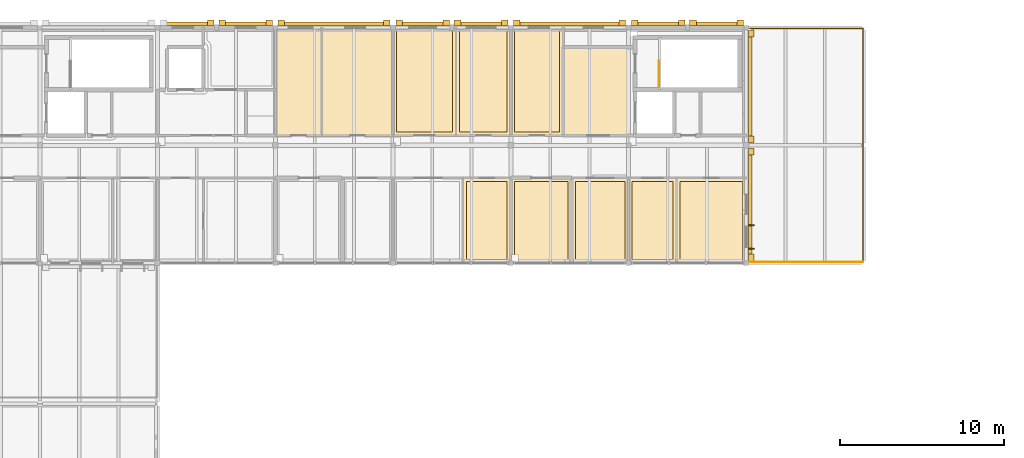
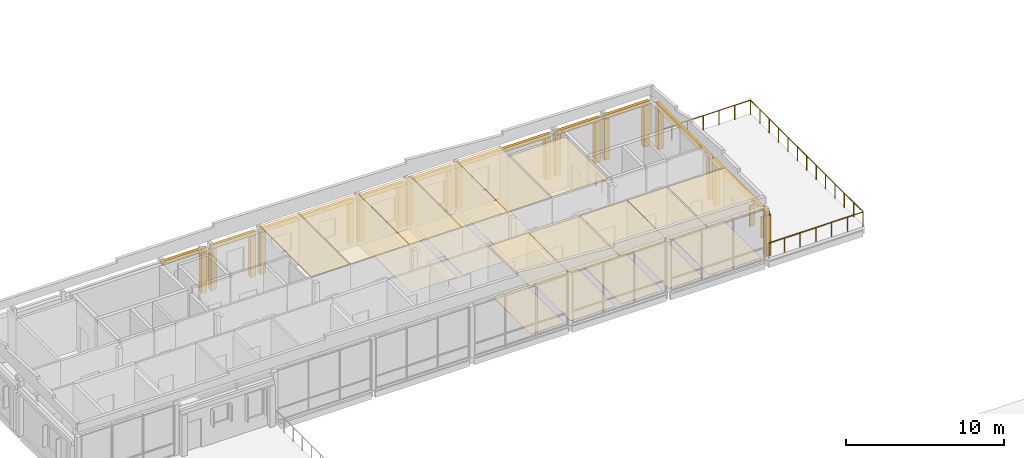
# One storey, part 31 of 32: 48 coverings, 3 railings, 2 shading devices.
"""IFC4 building model written with IfcOpenShell, lengths in metres."""

from ifc_helpers import new_model, si_unit, direction, frame, origin, origin_2d, place, context, subcontext, project, spatial, polyline, rectangle, circle, outline, extrude, material, layer, layer_set, type_object, element, save


model = new_model("IFC4")

# Units and contexts
model_context = context("Model", 3, precision=1e-05, world=origin(), true_north=direction((0.0, 1.0)))
body_context = subcontext(model_context, "Body", "Model", "MODEL_VIEW")
ifc_project = project(units=[si_unit("LENGTHUNIT", "METRE"), si_unit("AREAUNIT", "SQUARE_METRE"), si_unit("VOLUMEUNIT", "CUBIC_METRE"), si_unit("PLANEANGLEUNIT", "RADIAN"), si_unit("MASSUNIT", "GRAM", prefix="KILO")], contexts=[model_context])

# Site, building, storey
site_placement = place(None, origin())
site = spatial("IfcSite", under=ifc_project, at=site_placement, CompositionType="ELEMENT")
building_placement = place(site_placement, origin())
building = spatial("IfcBuilding", under=site, at=building_placement, Name="Hawrajan Terrace Health Centre", CompositionType="ELEMENT")
storey_placement = place(building_placement, frame((0.0, 0.0, 17.39990234375)))
storey = spatial("IfcBuildingStorey", under=building, at=storey_placement, Name="L04", CompositionType="ELEMENT", Elevation=17.39990234375)

# Coverings
ifc_material_1 = material(Name="Precast concrete C40/50", Category="concrete")
ifc_layer_1 = layer(ifc_material_1, 0.219970703125)
ifc_layer_set_1 = layer_set([ifc_layer_1], Name="Precast concrete C40/50")
covering_type_1 = type_object("IfcCoveringType", Name="ArtDecoCorniceBand", PredefinedType="CLADDING", material=ifc_layer_set_1)
covering_1_placement = place(storey_placement, frame((20.820068359375, 60.034912109375, 3.18017578125), z_axis=(0.0, 0.0, 1.0), x_axis=(1.0, 0.0, 0.0)))
element("IfcCovering", 1, at=covering_1_placement, inside=storey, type_object=covering_type_1, Name="Art Deco limestone cornice band CRN-L04-0196", PredefinedType="CLADDING", context=body_context, shape_type="SweptSolid", body=[
    extrude(rectangle(XDim=3.280029296875, YDim=0.219970703125, at=origin_2d()), origin(), (0.0, 0.0, 1.0), 0.300048828125),
])
covering_2_placement = place(storey_placement, frame((24.389892578125, 60.034912109375, 3.18017578125), z_axis=(0.0, 0.0, 1.0), x_axis=(1.0, 0.0, 0.0)))
element("IfcCovering", 2, at=covering_2_placement, inside=storey, type_object=covering_type_1, Name="Art Deco limestone cornice band CRN-L04-0197", PredefinedType="CLADDING", context=body_context, shape_type="SweptSolid", body=[
    extrude(rectangle(XDim=3.300048828125, YDim=0.219970703125, at=origin_2d()), origin(), (0.0, 0.0, 1.0), 0.300048828125),
])
covering_3_placement = place(storey_placement, frame((29.7900390625, 60.034912109375, 3.18017578125), z_axis=(0.0, 0.0, 1.0), x_axis=(1.0, 0.0, 0.0)))
element("IfcCovering", 3, at=covering_3_placement, inside=storey, type_object=covering_type_1, Name="Art Deco limestone cornice band CRN-L04-0198", PredefinedType="CLADDING", context=body_context, shape_type="SweptSolid", body=[
    extrude(rectangle(XDim=6.860107421875, YDim=0.219970703125, at=origin_2d()), origin(), (0.0, 0.0, 1.0), 0.300048828125),
])
covering_4_placement = place(storey_placement, frame((35.219970703125, 60.034912109375, 3.18017578125), z_axis=(0.0, 0.0, 1.0), x_axis=(1.0, 0.0, 0.0)))
element("IfcCovering", 4, at=covering_4_placement, inside=storey, type_object=covering_type_1, Name="Art Deco limestone cornice band CRN-L04-0199", PredefinedType="CLADDING", context=body_context, shape_type="SweptSolid", body=[
    extrude(rectangle(XDim=3.280029296875, YDim=0.219970703125, at=origin_2d()), origin(), (0.0, 0.0, 1.0), 0.300048828125),
])
covering_5_placement = place(storey_placement, frame((38.7900390625, 60.034912109375, 3.18017578125), z_axis=(0.0, 0.0, 1.0), x_axis=(1.0, 0.0, 0.0)))
element("IfcCovering", 5, at=covering_5_placement, inside=storey, type_object=covering_type_1, Name="Art Deco limestone cornice band CRN-L04-0200", PredefinedType="CLADDING", context=body_context, shape_type="SweptSolid", body=[
    extrude(rectangle(XDim=3.300048828125, YDim=0.219970703125, at=origin_2d()), origin(), (0.0, 0.0, 1.0), 0.300048828125),
])
for number, where, z_axis, x_axis, name in (
    (6, (44.18994140625, 60.034912109375, 3.18017578125), (0.0, 0.0, 1.0), (1.0, 0.0, 0.0), "Art Deco limestone cornice band CRN-L04-0201"),
    (7, (55.235107421875, 48.989990234375, 3.18017578125), (0.0, 0.0, 1.0), (0.0, 1.0, 0.0), "Art Deco limestone cornice band CRN-L04-0202"),
):
    element("IfcCovering", number, at=place(storey_placement, frame(where, z_axis=z_axis, x_axis=x_axis)), inside=storey, type_object=covering_type_1, Name=name, PredefinedType="CLADDING", context=body_context, shape_type="SweptSolid", body=[
        extrude(rectangle(XDim=6.860107421875, YDim=0.219970703125, at=origin_2d()), origin(), (0.0, 0.0, 1.0), 0.300048828125),
    ])
covering_6_placement = place(storey_placement, frame((49.6201171875, 60.034912109375, 3.18017578125), z_axis=(0.0, 0.0, 1.0), x_axis=(1.0, 0.0, 0.0)))
element("IfcCovering", 8, at=covering_6_placement, inside=storey, type_object=covering_type_1, Name="Art Deco limestone cornice band CRN-L04-0203", PredefinedType="CLADDING", context=body_context, shape_type="SweptSolid", body=[
    extrude(rectangle(XDim=3.280029296875, YDim=0.219970703125, at=origin_2d()), origin(), (0.0, 0.0, 1.0), 0.300048828125),
])
covering_7_placement = place(storey_placement, frame((53.18994140625, 60.034912109375, 3.18017578125), z_axis=(0.0, 0.0, 1.0), x_axis=(1.0, 0.0, 0.0)))
element("IfcCovering", 9, at=covering_7_placement, inside=storey, type_object=covering_type_1, Name="Art Deco limestone cornice band CRN-L04-0204", PredefinedType="CLADDING", context=body_context, shape_type="SweptSolid", body=[
    extrude(rectangle(XDim=3.300048828125, YDim=0.219970703125, at=origin_2d()), origin(), (0.0, 0.0, 1.0), 0.300048828125),
])
covering_8_placement = place(storey_placement, frame((55.235107421875, 56.2099609375, 3.18017578125), z_axis=(0.0, 0.0, 1.0), x_axis=(0.0, 1.0, 0.0)))
element("IfcCovering", 10, at=covering_8_placement, inside=storey, type_object=covering_type_1, Name="Art Deco limestone cornice band CRN-L04-0205", PredefinedType="CLADDING", context=body_context, shape_type="SweptSolid", body=[
    extrude(rectangle(XDim=6.860107421875, YDim=0.219970703125, at=origin_2d()), origin(), (0.0, 0.0, 1.0), 0.300048828125),
])
ifc_layer_2 = layer(ifc_material_1, 0.340087890625)
ifc_layer_set_2 = layer_set([ifc_layer_2], Name="Precast concrete C40/50")
covering_type_2 = type_object("IfcCoveringType", Name="ArtDecoStonePilaster", PredefinedType="CLADDING", material=ifc_layer_set_2)
for number, where, z_axis, x_axis, name in (
    (11, (22.260009765625, 60.094970703125, 0.000244140625), (0.0, 0.0, 1.0), (1.0, 0.0, 0.0), "Art Deco fluted limestone pilaster FPIL-L04-0393"),
    (12, (22.93994140625, 60.094970703125, 0.000244140625), (0.0, 0.0, 1.0), (1.0, 0.0, 0.0), "Art Deco fluted limestone pilaster FPIL-L04-0394"),
    (13, (25.840087890625, 60.094970703125, 0.000244140625), (0.0, 0.0, 1.0), (1.0, 0.0, 0.0), "Art Deco fluted limestone pilaster FPIL-L04-0395"),
    (14, (26.56005859375, 60.094970703125, 0.000244140625), (0.0, 0.0, 1.0), (1.0, 0.0, 0.0), "Art Deco fluted limestone pilaster FPIL-L04-0396"),
    (15, (33.02001953125, 60.094970703125, 0.000244140625), (0.0, 0.0, 1.0), (1.0, 0.0, 0.0), "Art Deco fluted limestone pilaster FPIL-L04-0397"),
    (16, (33.780029296875, 60.094970703125, 0.000244140625), (0.0, 0.0, 1.0), (1.0, 0.0, 0.0), "Art Deco fluted limestone pilaster FPIL-L04-0398"),
    (17, (36.659912109375, 60.094970703125, 0.000244140625), (0.0, 0.0, 1.0), (1.0, 0.0, 0.0), "Art Deco fluted limestone pilaster FPIL-L04-0399"),
    (18, (37.340087890625, 60.094970703125, 0.000244140625), (0.0, 0.0, 1.0), (1.0, 0.0, 0.0), "Art Deco fluted limestone pilaster FPIL-L04-0400"),
    (19, (40.239990234375, 60.094970703125, 0.000244140625), (0.0, 0.0, 1.0), (1.0, 0.0, 0.0), "Art Deco fluted limestone pilaster FPIL-L04-0401"),
    (20, (40.9599609375, 60.094970703125, 0.000244140625), (0.0, 0.0, 1.0), (1.0, 0.0, 0.0), "Art Deco fluted limestone pilaster FPIL-L04-0402"),
    (21, (47.419921875, 60.094970703125, 0.000244140625), (0.0, 0.0, 1.0), (1.0, 0.0, 0.0), "Art Deco fluted limestone pilaster FPIL-L04-0403"),
    (22, (55.294921875, 45.760009765625, 0.000244140625), (0.0, 0.0, 1.0), (0.0, 1.0, 0.0), "Art Deco fluted limestone pilaster FPIL-L04-0404"),
    (23, (55.294921875, 52.219970703125, 0.000244140625), (0.0, 0.0, 1.0), (0.0, 1.0, 0.0), "Art Deco fluted limestone pilaster FPIL-L04-0405"),
    (24, (48.179931640625, 60.094970703125, 0.000244140625), (0.0, 0.0, 1.0), (1.0, 0.0, 0.0), "Art Deco fluted limestone pilaster FPIL-L04-0406"),
    (25, (51.06005859375, 60.094970703125, 0.000244140625), (0.0, 0.0, 1.0), (1.0, 0.0, 0.0), "Art Deco fluted limestone pilaster FPIL-L04-0407"),
    (26, (51.739990234375, 60.094970703125, 0.000244140625), (0.0, 0.0, 1.0), (1.0, 0.0, 0.0), "Art Deco fluted limestone pilaster FPIL-L04-0408"),
    (27, (54.639892578125, 60.094970703125, 0.000244140625), (0.0, 0.0, 1.0), (1.0, 0.0, 0.0), "Art Deco fluted limestone pilaster FPIL-L04-0409"),
    (28, (55.294921875, 52.97998046875, 0.000244140625), (0.0, 0.0, 1.0), (0.0, 1.0, 0.0), "Art Deco fluted limestone pilaster FPIL-L04-0410"),
    (29, (55.294921875, 59.43994140625, 0.000244140625), (0.0, 0.0, 1.0), (0.0, 1.0, 0.0), "Art Deco fluted limestone pilaster FPIL-L04-0411"),
):
    element("IfcCovering", number, at=place(storey_placement, frame(where, z_axis=z_axis, x_axis=x_axis)), inside=storey, type_object=covering_type_2, Name=name, PredefinedType="CLADDING", context=body_context, shape_type="SweptSolid", body=[
        extrude(rectangle(XDim=0.39990234375, YDim=0.340087890625, at=origin_2d()), origin(), (0.0, 0.0, 1.0), 3.169921875),
    ])
ifc_material_2 = material(Name="Hygienic mineral-fibre acoustic tile ceiling")
ifc_layer_3 = layer(ifc_material_2, 0.02490234375)
ifc_layer_set_3 = layer_set([ifc_layer_3], Name="Hygienic mineral-fibre acoustic tile ceiling")
covering_type_3 = type_object("IfcCoveringType", Name="ClinicalAcousticCeiling_25", PredefinedType="CEILING", material=ifc_layer_set_3)
covering_9_placement = place(storey_placement, frame((0.0, 0.0, 3.905029296875)))
element("IfcCovering", 30, at=covering_9_placement, inside=storey, type_object=covering_type_3, Name="Suspended ceiling L04-009", PredefinedType="CEILING", context=body_context, shape_type="SweptSolid", body=[
    extrude(outline(polyline([(43.820068359375, 53.219970703125), (43.820068359375, 58.580078125), (47.929931640625, 58.580078125), (47.929931640625, 53.219970703125), (43.820068359375, 53.219970703125)])), origin(), (0.0, 0.0, 1.0), 0.025146484375),
])
covering_10_placement = place(storey_placement, frame((0.0, 0.0, 3.905029296875)))
element("IfcCovering", 31, at=covering_10_placement, inside=storey, type_object=covering_type_3, Name="Suspended ceiling L04-013", PredefinedType="CEILING", context=body_context, shape_type="SweptSolid", body=[
    extrude(outline(polyline([(26.219970703125, 59.780029296875), (29.030029296875, 59.780029296875), (29.030029296875, 53.219970703125), (26.219970703125, 53.219970703125), (26.219970703125, 59.780029296875)])), origin(), (0.0, 0.0, 1.0), 0.025146484375),
])
covering_11_placement = place(storey_placement, frame((0.0, 0.0, 3.905029296875)))
element("IfcCovering", 32, at=covering_11_placement, inside=storey, type_object=covering_type_3, Name="Suspended ceiling L04-014", PredefinedType="CEILING", context=body_context, shape_type="SweptSolid", body=[
    extrude(outline(polyline([(29.070068359375, 59.780029296875), (33.3798828125, 59.780029296875), (33.3798828125, 53.219970703125), (29.070068359375, 53.219970703125), (29.070068359375, 59.780029296875)])), origin(), (0.0, 0.0, 1.0), 0.025146484375),
])
covering_12_placement = place(storey_placement, frame((0.0, 0.0, 3.905029296875)))
element("IfcCovering", 33, at=covering_12_placement, inside=storey, type_object=covering_type_3, Name="Suspended ceiling L04-025", PredefinedType="CEILING", context=body_context, shape_type="SweptSolid", body=[
    extrude(outline(polyline([(37.689697265625, 50.580078125), (40.580078125, 50.580078125), (40.580078125, 45.419921875), (37.689697265625, 45.419921875), (37.689697265625, 50.580078125)])), origin(), (0.0, 0.0, 1.0), 0.025146484375),
])
covering_13_placement = place(storey_placement, frame((0.0, 0.0, 3.905029296875)))
element("IfcCovering", 34, at=covering_13_placement, inside=storey, type_object=covering_type_3, Name="Suspended ceiling L04-026", PredefinedType="CEILING", context=body_context, shape_type="SweptSolid", body=[
    extrude(outline(polyline([(33.419921875, 59.780029296875), (37.224853515625, 59.780029296875), (37.224853515625, 53.219970703125), (33.419921875, 53.219970703125), (33.419921875, 59.780029296875)])), origin(), (0.0, 0.0, 1.0), 0.025146484375),
])
covering_14_placement = place(storey_placement, frame((0.0, 0.0, 3.905029296875)))
element("IfcCovering", 35, at=covering_14_placement, inside=storey, type_object=covering_type_3, Name="Suspended ceiling L04-027", PredefinedType="CEILING", context=body_context, shape_type="SweptSolid", body=[
    extrude(outline(polyline([(37.264892578125, 59.780029296875), (40.580078125, 59.780029296875), (40.580078125, 53.219970703125), (37.264892578125, 53.219970703125), (37.264892578125, 59.780029296875)])), origin(), (0.0, 0.0, 1.0), 0.025146484375),
])
covering_15_placement = place(storey_placement, frame((0.0, 0.0, 3.905029296875)))
element("IfcCovering", 36, at=covering_15_placement, inside=storey, type_object=covering_type_3, Name="Suspended ceiling L04-028", PredefinedType="CEILING", context=body_context, shape_type="SweptSolid", body=[
    extrude(outline(polyline([(40.6201171875, 50.580078125), (44.302490234375, 50.580078125), (44.302490234375, 45.419921875), (40.6201171875, 45.419921875), (40.6201171875, 50.580078125)])), origin(), (0.0, 0.0, 1.0), 0.025146484375),
])
covering_16_placement = place(storey_placement, frame((0.0, 0.0, 3.905029296875)))
element("IfcCovering", 37, at=covering_16_placement, inside=storey, type_object=covering_type_3, Name="Suspended ceiling L04-029", PredefinedType="CEILING", context=body_context, shape_type="SweptSolid", body=[
    extrude(outline(polyline([(44.34228515625, 50.580078125), (47.780029296875, 50.580078125), (47.780029296875, 45.419921875), (44.34228515625, 45.419921875), (44.34228515625, 50.580078125)])), origin(), (0.0, 0.0, 1.0), 0.025146484375),
])
covering_17_placement = place(storey_placement, frame((0.0, 0.0, 3.905029296875)))
element("IfcCovering", 38, at=covering_17_placement, inside=storey, type_object=covering_type_3, Name="Suspended ceiling L04-030", PredefinedType="CEILING", context=body_context, shape_type="SweptSolid", body=[
    extrude(outline(polyline([(40.6201171875, 59.780029296875), (43.780029296875, 59.780029296875), (43.780029296875, 53.219970703125), (40.6201171875, 53.219970703125), (40.6201171875, 59.780029296875)])), origin(), (0.0, 0.0, 1.0), 0.025146484375),
])
covering_18_placement = place(storey_placement, frame((0.0, 0.0, 3.905029296875)))
element("IfcCovering", 39, at=covering_18_placement, inside=storey, type_object=covering_type_3, Name="Suspended ceiling L04-031", PredefinedType="CEILING", context=body_context, shape_type="SweptSolid", body=[
    extrude(outline(polyline([(47.820068359375, 50.580078125), (50.71044921875, 50.580078125), (50.71044921875, 45.419921875), (47.820068359375, 45.419921875), (47.820068359375, 50.580078125)])), origin(), (0.0, 0.0, 1.0), 0.025146484375),
])
covering_19_placement = place(storey_placement, frame((0.0, 0.0, 3.905029296875)))
element("IfcCovering", 40, at=covering_19_placement, inside=storey, type_object=covering_type_3, Name="Suspended ceiling L04-032", PredefinedType="CEILING", context=body_context, shape_type="SweptSolid", body=[
    extrude(outline(polyline([(50.75048828125, 50.580078125), (54.97998046875, 50.580078125), (54.97998046875, 45.419921875), (50.75048828125, 45.419921875), (50.75048828125, 50.580078125)])), origin(), (0.0, 0.0, 1.0), 0.025146484375),
])
ifc_material_3 = material(Name="Seamless medical-grade cushioned vinyl flooring")
ifc_layer_4 = layer(ifc_material_3, 0.011962890625)
ifc_layer_set_4 = layer_set([ifc_layer_4], Name="Seamless medical-grade cushioned vinyl flooring")
covering_type_4 = type_object("IfcCoveringType", Name="ClinicalVinylFlooring_12", PredefinedType="FLOORING", material=ifc_layer_set_4)
covering_20_placement = place(storey_placement, origin())
element("IfcCovering", 41, at=covering_20_placement, inside=storey, type_object=covering_type_4, Name="Floor finish L04-025", PredefinedType="FLOORING", context=body_context, shape_type="SweptSolid", body=[
    extrude(outline(polyline([(37.8896484375, 50.3798828125), (40.3798828125, 50.3798828125), (40.3798828125, 45.6201171875), (37.8896484375, 45.6201171875), (37.8896484375, 50.3798828125)])), origin(), (0.0, 0.0, 1.0), 0.01220703125),
])
covering_21_placement = place(storey_placement, origin())
element("IfcCovering", 42, at=covering_21_placement, inside=storey, type_object=covering_type_4, Name="Floor finish L04-026", PredefinedType="FLOORING", context=body_context, shape_type="SweptSolid", body=[
    extrude(outline(polyline([(33.6201171875, 59.580078125), (37.02490234375, 59.580078125), (37.02490234375, 53.419921875), (33.6201171875, 53.419921875), (33.6201171875, 59.580078125)])), origin(), (0.0, 0.0, 1.0), 0.01220703125),
])
covering_22_placement = place(storey_placement, origin())
element("IfcCovering", 43, at=covering_22_placement, inside=storey, type_object=covering_type_4, Name="Floor finish L04-027", PredefinedType="FLOORING", context=body_context, shape_type="SweptSolid", body=[
    extrude(outline(polyline([(37.46484375, 59.580078125), (40.3798828125, 59.580078125), (40.3798828125, 53.419921875), (37.46484375, 53.419921875), (37.46484375, 59.580078125)])), origin(), (0.0, 0.0, 1.0), 0.01220703125),
])
covering_23_placement = place(storey_placement, origin())
element("IfcCovering", 44, at=covering_23_placement, inside=storey, type_object=covering_type_4, Name="Floor finish L04-028", PredefinedType="FLOORING", context=body_context, shape_type="SweptSolid", body=[
    extrude(outline(polyline([(40.820068359375, 50.3798828125), (44.102294921875, 50.3798828125), (44.102294921875, 45.6201171875), (40.820068359375, 45.6201171875), (40.820068359375, 50.3798828125)])), origin(), (0.0, 0.0, 1.0), 0.01220703125),
])
covering_24_placement = place(storey_placement, origin())
element("IfcCovering", 45, at=covering_24_placement, inside=storey, type_object=covering_type_4, Name="Floor finish L04-029", PredefinedType="FLOORING", context=body_context, shape_type="SweptSolid", body=[
    extrude(outline(polyline([(44.54248046875, 50.3798828125), (47.580078125, 50.3798828125), (47.580078125, 45.6201171875), (44.54248046875, 45.6201171875), (44.54248046875, 50.3798828125)])), origin(), (0.0, 0.0, 1.0), 0.01220703125),
])
covering_25_placement = place(storey_placement, origin())
element("IfcCovering", 46, at=covering_25_placement, inside=storey, type_object=covering_type_4, Name="Floor finish L04-030", PredefinedType="FLOORING", context=body_context, shape_type="SweptSolid", body=[
    extrude(outline(polyline([(40.820068359375, 59.580078125), (43.580078125, 59.580078125), (43.580078125, 53.419921875), (40.820068359375, 53.419921875), (40.820068359375, 59.580078125)])), origin(), (0.0, 0.0, 1.0), 0.01220703125),
])
covering_26_placement = place(storey_placement, origin())
element("IfcCovering", 47, at=covering_26_placement, inside=storey, type_object=covering_type_4, Name="Floor finish L04-031", PredefinedType="FLOORING", context=body_context, shape_type="SweptSolid", body=[
    extrude(outline(polyline([(48.02001953125, 50.3798828125), (50.510498046875, 50.3798828125), (50.510498046875, 45.6201171875), (48.02001953125, 45.6201171875), (48.02001953125, 50.3798828125)])), origin(), (0.0, 0.0, 1.0), 0.01220703125),
])
covering_27_placement = place(storey_placement, origin())
element("IfcCovering", 48, at=covering_27_placement, inside=storey, type_object=covering_type_4, Name="Floor finish L04-032", PredefinedType="FLOORING", context=body_context, shape_type="SweptSolid", body=[
    extrude(outline(polyline([(50.950439453125, 50.3798828125), (54.780029296875, 50.3798828125), (54.780029296875, 45.6201171875), (50.950439453125, 45.6201171875), (50.950439453125, 50.3798828125)])), origin(), (0.0, 0.0, 1.0), 0.01220703125),
])

# Shading devices
ifc_material_4 = material(Name="Anodized bronze mashrabiya vertical solar fin")
ifc_layer_5 = layer(ifc_material_4, 0.080078125)
ifc_layer_set_5 = layer_set([ifc_layer_5], Name="Anodized bronze mashrabiya vertical solar fin")
shading_device_type = type_object("IfcShadingDeviceType", Name="MashrabiyaVerticalFin", PredefinedType="USERDEFINED", material=ifc_layer_set_5)
for number, where, z_axis, x_axis, name in (
    (49, (55.304931640625, 46.27490234375, 1.050048828125), (0.0, 0.0, 1.0), (0.0, 1.0, 0.0), "Bronze mashrabiya solar fin FIN-L04-0253"),
    (50, (55.304931640625, 47.715087890625, 1.050048828125), (0.0, 0.0, 1.0), (0.0, 1.0, 0.0), "Bronze mashrabiya solar fin FIN-L04-0254"),
):
    element("IfcShadingDevice", number, at=place(storey_placement, frame(where, z_axis=z_axis, x_axis=x_axis)), inside=storey, type_object=shading_device_type, Name=name, ObjectType="SOLAR_FIN", PredefinedType="USERDEFINED", context=body_context, shape_type="SweptSolid", body=[
        extrude(rectangle(XDim=0.080078125, YDim=0.360107421875, at=origin_2d()), origin(), (0.0, 0.0, 1.0), 1.64990234375),
    ])

# Railings
ifc_material_5 = material(Name="Painted steel stair well guard", Category="steel")
railing_type_1 = type_object("IfcRailingType", Name="StairWellGuard_1120", PredefinedType="GUARDRAIL", material=ifc_material_5)
railing_1_placement = place(storey_placement, frame((49.659912109375, 56.179931640625, 0.0)))
element("IfcRailing", 51, at=railing_1_placement, inside=storey, type_object=railing_type_1, Name="Stair top well guard ST-2", PredefinedType="GUARDRAIL", context=body_context, shape_type="SweptSolid", body=[
    extrude(circle(Radius=0.02392578125, at=origin_2d()), frame((0.0, 0.02880859375, 1.09619140625), z_axis=(0.0, 1.0, 0.0), x_axis=(-1.0, 0.0, 0.0)), (0.0, 0.0, 1.0), 1.50244140625),
    extrude(circle(Radius=0.02099609375, at=origin_2d()), origin(), (0.0, 0.0, 1.0), 1.067138671875),
    extrude(circle(Radius=0.02099609375, at=origin_2d()), frame((0.0, 0.780029296875, 0.0)), (0.0, 0.0, 1.0), 1.067138671875),
    extrude(circle(Radius=0.02099609375, at=origin_2d()), frame((0.0, 1.56005859375, 0.0)), (0.0, 0.0, 1.0), 1.067138671875),
])
ifc_material_6 = material(Name="Anodized bronze post and balustrade guard")
railing_type_2 = type_object("IfcRailingType", Name="TerraceGuard_1120", PredefinedType="GUARDRAIL", material=ifc_material_6)
railing_2_placement = place(storey_placement, frame((62.139892578125, 45.4599609375, 0.0)))
element("IfcRailing", 52, at=railing_2_placement, inside=storey, type_object=railing_type_2, Name="Terrace perimeter guard L04-013", PredefinedType="GUARDRAIL", context=body_context, shape_type="SweptSolid", body=[
    extrude(circle(Radius=0.02392578125, at=origin_2d()), frame((-0.02880859375, 0.0, 1.09619140625), z_axis=(-1.0, 0.0, 0.0), x_axis=(0.0, -1.0, 0.0)), (0.0, 0.0, 1.0), 6.8623046875),
    extrude(circle(Radius=0.02099609375, at=origin_2d()), origin(), (0.0, 0.0, 1.0), 1.067138671875),
    extrude(circle(Radius=0.02099609375, at=origin_2d()), frame((-1.1533203125, 0.0, 0.0)), (0.0, 0.0, 1.0), 1.067138671875),
    extrude(circle(Radius=0.02099609375, at=origin_2d()), frame((-2.306640625, 0.0, 0.0)), (0.0, 0.0, 1.0), 1.067138671875),
    extrude(circle(Radius=0.02099609375, at=origin_2d()), frame((-3.4599609375, 0.0, 0.0)), (0.0, 0.0, 1.0), 1.067138671875),
    extrude(circle(Radius=0.02099609375, at=origin_2d()), frame((-4.61328125, 0.0, 0.0)), (0.0, 0.0, 1.0), 1.067138671875),
    extrude(circle(Radius=0.02099609375, at=origin_2d()), frame((-5.7666015625, 0.0, 0.0)), (0.0, 0.0, 1.0), 1.067138671875),
    extrude(circle(Radius=0.02099609375, at=origin_2d()), frame((-6.919921875, 0.0, 0.0)), (0.0, 0.0, 1.0), 1.067138671875),
])
railing_3_placement = place(storey_placement, frame((55.219970703125, 59.739990234375, 0.0)))
element("IfcRailing", 53, at=railing_3_placement, inside=storey, type_object=railing_type_2, Name="Terrace perimeter guard L04-014", PredefinedType="GUARDRAIL", context=body_context, shape_type="SweptSolid", body=[
    extrude(circle(Radius=0.02392578125, at=origin_2d()), frame((0.02880859375, 0.0, 1.09619140625), z_axis=(1.0, 0.0, 0.0), x_axis=(0.0, 1.0, 0.0)), (0.0, 0.0, 1.0), 6.8623046875),
    extrude(circle(Radius=0.02392578125, at=origin_2d()), frame((6.919921875, -0.02880859375, 1.09619140625), z_axis=(0.0, -1.0, 0.0), x_axis=(1.0, 0.0, 0.0)), (0.0, 0.0, 1.0), 14.222412109375),
    extrude(circle(Radius=0.02099609375, at=origin_2d()), origin(), (0.0, 0.0, 1.0), 1.067138671875),
    extrude(circle(Radius=0.02099609375, at=origin_2d()), frame((1.1533203125, 0.0, 0.0)), (0.0, 0.0, 1.0), 1.067138671875),
    extrude(circle(Radius=0.02099609375, at=origin_2d()), frame((2.306640625, 0.0, 0.0)), (0.0, 0.0, 1.0), 1.067138671875),
    extrude(circle(Radius=0.02099609375, at=origin_2d()), frame((3.4599609375, 0.0, 0.0)), (0.0, 0.0, 1.0), 1.067138671875),
    extrude(circle(Radius=0.02099609375, at=origin_2d()), frame((4.61328125, 0.0, 0.0)), (0.0, 0.0, 1.0), 1.067138671875),
    extrude(circle(Radius=0.02099609375, at=origin_2d()), frame((5.7666015625, 0.0, 0.0)), (0.0, 0.0, 1.0), 1.067138671875),
    extrude(circle(Radius=0.02099609375, at=origin_2d()), frame((6.919921875, 0.0, 0.0)), (0.0, 0.0, 1.0), 1.067138671875),
    extrude(circle(Radius=0.02099609375, at=origin_2d()), frame((6.919921875, -1.18994140625, 0.0)), (0.0, 0.0, 1.0), 1.067138671875),
    extrude(circle(Radius=0.02099609375, at=origin_2d()), frame((6.919921875, -2.3798828125, 0.0)), (0.0, 0.0, 1.0), 1.067138671875),
    extrude(circle(Radius=0.02099609375, at=origin_2d()), frame((6.919921875, -3.570068359375, 0.0)), (0.0, 0.0, 1.0), 1.067138671875),
    extrude(circle(Radius=0.02099609375, at=origin_2d()), frame((6.919921875, -4.760009765625, 0.0)), (0.0, 0.0, 1.0), 1.067138671875),
    extrude(circle(Radius=0.02099609375, at=origin_2d()), frame((6.919921875, -5.949951171875, 0.0)), (0.0, 0.0, 1.0), 1.067138671875),
    extrude(circle(Radius=0.02099609375, at=origin_2d()), frame((6.919921875, -7.14013671875, 0.0)), (0.0, 0.0, 1.0), 1.067138671875),
    extrude(circle(Radius=0.02099609375, at=origin_2d()), frame((6.919921875, -8.330078125, 0.0)), (0.0, 0.0, 1.0), 1.067138671875),
    extrude(circle(Radius=0.02099609375, at=origin_2d()), frame((6.919921875, -9.52001953125, 0.0)), (0.0, 0.0, 1.0), 1.067138671875),
    extrude(circle(Radius=0.02099609375, at=origin_2d()), frame((6.919921875, -10.7099609375, 0.0)), (0.0, 0.0, 1.0), 1.067138671875),
    extrude(circle(Radius=0.02099609375, at=origin_2d()), frame((6.919921875, -11.89990234375, 0.0)), (0.0, 0.0, 1.0), 1.067138671875),
    extrude(circle(Radius=0.02099609375, at=origin_2d()), frame((6.919921875, -13.090087890625, 0.0)), (0.0, 0.0, 1.0), 1.067138671875),
    extrude(circle(Radius=0.02099609375, at=origin_2d()), frame((6.919921875, -14.280029296875, 0.0)), (0.0, 0.0, 1.0), 1.067138671875),
])

save(model, "model.ifc")
